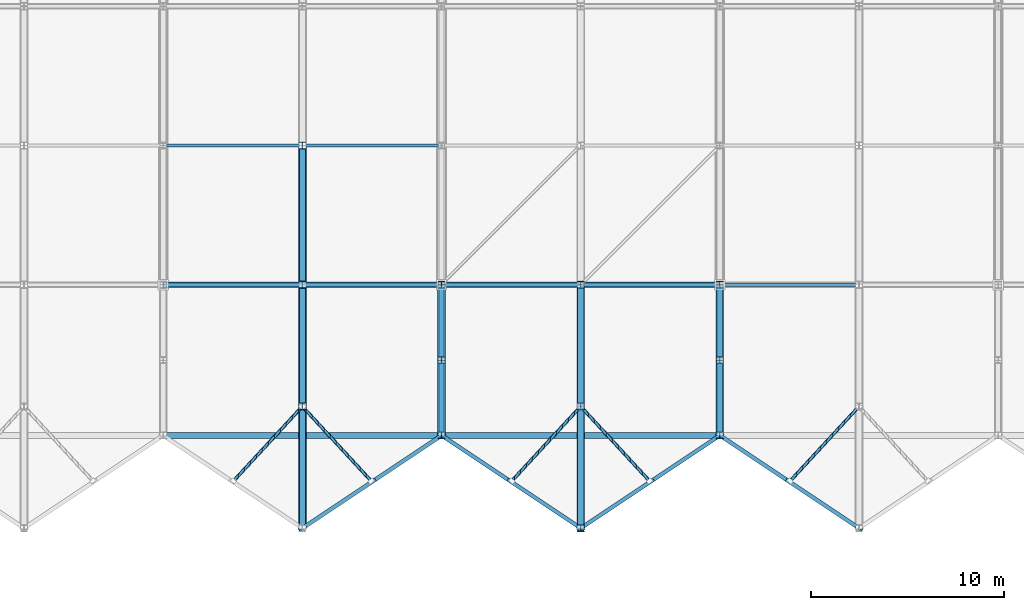
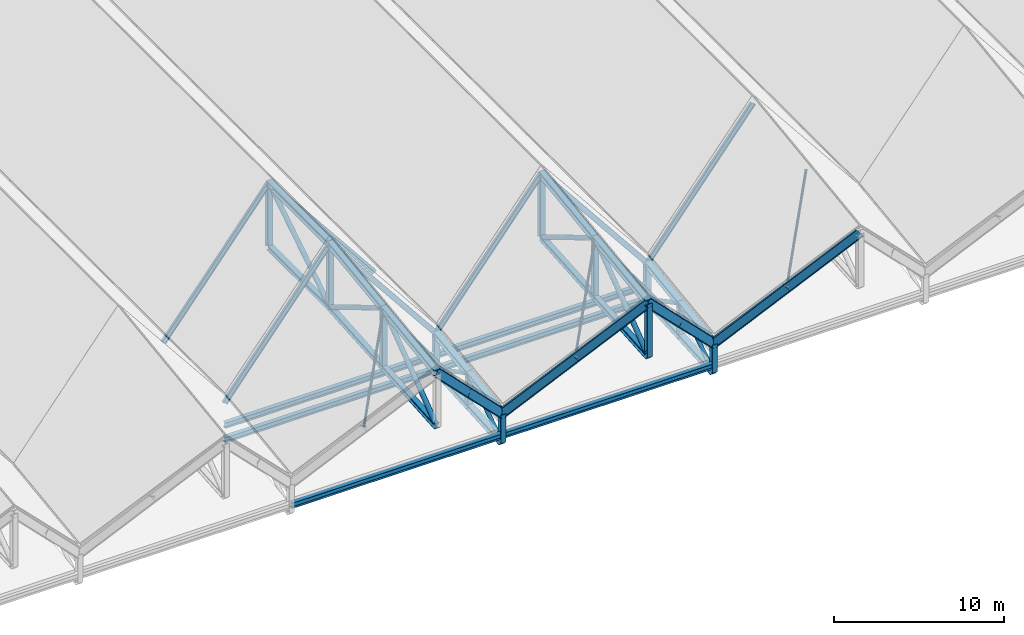
# One storey, part 5 of 60: 59 members, 6 beams.
"""IFC4 building model written with IfcOpenShell, lengths in metres."""

from ifc_helpers import new_model, si_unit, direction, frame, origin, origin_2d, place, context, subcontext, project, spatial, hollow_circle, i_section, extrude, material, material_profile, profile_set, type_object, element, save


model = new_model("IFC4")

# Units and contexts
model_context = context("Model", 3, precision=1e-05, world=origin(), true_north=direction((0.0, 1.0)))
body_context = subcontext(model_context, "Body", "Model", "MODEL_VIEW")
ifc_project = project(units=[si_unit("LENGTHUNIT", "METRE"), si_unit("AREAUNIT", "SQUARE_METRE"), si_unit("VOLUMEUNIT", "CUBIC_METRE"), si_unit("PLANEANGLEUNIT", "RADIAN"), si_unit("MASSUNIT", "GRAM", prefix="KILO")], contexts=[model_context])

# Site, building, storey
site_placement = place(None, origin())
site = spatial("IfcSite", under=ifc_project, at=site_placement, CompositionType="ELEMENT")
building_placement = place(site_placement, origin())
building = spatial("IfcBuilding", under=site, at=building_placement, Name="Vesperath Aquatics Centre", CompositionType="ELEMENT")
storey_placement = place(building_placement, frame((0.0, 0.0, 27.60009765625)))
storey = spatial("IfcBuildingStorey", under=building, at=storey_placement, Name="RF", CompositionType="ELEMENT", Elevation=27.60009765625)

# Beams
ifc_material_1 = material(Name="Steel Q355C", Category="steel")
ifc_material_profile_1 = material_profile(ifc_material_1, i_section(OverallWidth=0.300048828125, OverallDepth=0.389892578125, WebThickness=0.010009765625, FlangeThickness=0.01611328125, FilletRadius=0.02197265625, at=origin_2d()), Name="HM 390x300x10x16")
ifc_profile_set_1 = profile_set([ifc_material_profile_1], Name="Steel Q355C")
beam_type_1 = type_object("IfcBeamType", Name="BM-RB02", PredefinedType="BEAM", material=ifc_profile_set_1)
for number, where, z_axis, x_axis, name in (
    (1, (28.800048828125, 6.60009765625, -12.400146484375), (1.0, 0.0, 0.0), (0.0, 1.0, 0.0), "Natatorium Roof Deck Support Beam B11 G3-6.6"),
    (2, (28.800048828125, 14.39990234375, -12.400146484375), (1.0, 0.0, 0.0), (0.0, 1.0, 0.0), "Natatorium Roof Deck Support Beam B11 G3-14.4"),
):
    element("IfcBeam", number, at=place(storey_placement, frame(where, z_axis=z_axis, x_axis=x_axis)), inside=storey, type_object=beam_type_1, Name=name, PredefinedType="BEAM", context=body_context, shape_type="SweptSolid", body=[
        extrude(i_section(OverallWidth=0.300048828125, OverallDepth=0.389892578125, WebThickness=0.010009765625, FlangeThickness=0.01611328125, FilletRadius=0.02197265625, at=origin_2d()), origin(), (0.0, 0.0, 1.0), 14.39990234375),
    ])
for number, where, z_axis, x_axis, name in (
    (3, (43.199951171875, 6.60009765625, -12.400146484375), (1.0, 0.0, 0.0), (0.0, 1.0, 0.0), "Natatorium Roof Deck Support Beam B11 G4-6.6"),
    (4, (43.199951171875, 14.39990234375, -12.400146484375), (1.0, 0.0, 0.0), (0.0, 1.0, 0.0), "Natatorium Roof Deck Support Beam B11 G4-14.4"),
):
    element("IfcBeam", number, at=place(storey_placement, frame(where, z_axis=z_axis, x_axis=x_axis)), inside=storey, type_object=beam_type_1, Name=name, PredefinedType="BEAM", context=body_context, shape_type="SweptSolid", body=[
        extrude(i_section(OverallWidth=0.300048828125, OverallDepth=0.389892578125, WebThickness=0.010009765625, FlangeThickness=0.01611328125, FilletRadius=0.02197265625, at=origin_2d()), origin(), (0.0, 0.0, 1.0), 14.400146484375),
    ])
ifc_material_profile_2 = material_profile(ifc_material_1, i_section(OverallWidth=0.300048828125, OverallDepth=0.389892578125, WebThickness=0.010009765625, FlangeThickness=0.01611328125, FilletRadius=0.02197265625, at=origin_2d()), Name="HM 390x300x10x16")
ifc_profile_set_2 = profile_set([ifc_material_profile_2], Name="Steel Q355C")
beam_type_2 = type_object("IfcBeamType", Name="BM-RB06", PredefinedType="BEAM", material=ifc_profile_set_2)
beam_1_placement = place(storey_placement, frame((28.800048828125, 14.39990234375, -11.359375), z_axis=(1.0, 0.0, 0.0), x_axis=(0.0, 1.0, 0.0)))
element("IfcBeam", 5, at=beam_1_placement, inside=storey, type_object=beam_type_2, Name="Natatorium Roof Deck Support Beam B11 G3-14.4", PredefinedType="BEAM", context=body_context, shape_type="SweptSolid", body=[
    extrude(i_section(OverallWidth=0.300048828125, OverallDepth=0.389892578125, WebThickness=0.010009765625, FlangeThickness=0.01611328125, FilletRadius=0.02197265625, at=origin_2d()), origin(), (0.0, 0.0, 1.0), 14.39990234375),
])
beam_2_placement = place(storey_placement, frame((43.199951171875, 14.39990234375, -11.359375), z_axis=(1.0, 0.0, 0.0), x_axis=(0.0, 1.0, 0.0)))
element("IfcBeam", 6, at=beam_2_placement, inside=storey, type_object=beam_type_2, Name="Natatorium Roof Deck Support Beam B11 G4-14.4", PredefinedType="BEAM", context=body_context, shape_type="SweptSolid", body=[
    extrude(i_section(OverallWidth=0.300048828125, OverallDepth=0.389892578125, WebThickness=0.010009765625, FlangeThickness=0.01611328125, FilletRadius=0.02197265625, at=origin_2d()), origin(), (0.0, 0.0, 1.0), 14.400146484375),
])

# Members
ifc_material_2 = material(Name="Steel Q355D", Category="steel")
ifc_material_profile_3 = material_profile(ifc_material_2, i_section(OverallWidth=0.199951171875, OverallDepth=0.60009765625, WebThickness=0.010986328125, FlangeThickness=0.01708984375, FilletRadius=0.02197265625, at=origin_2d()), Name="HN 600x200x11x17")
ifc_profile_set_3 = profile_set([ifc_material_profile_3], Name="Steel Q355D")
member_type_1 = type_object("IfcMemberType", Name="MB-AR01", PredefinedType="RAFTER", material=ifc_profile_set_3)
for number, where, z_axis, x_axis, name in (
    (7, (43.199951171875, 6.60009765625, -10.8408203125), (-0.598386346033, -0.398964813011, 0.694809944417), (0.554739260842, -0.832024249935, 0.0), "Natatorium Cutback Hood Verge Rafter AR01 B6A"),
    (8, (39.60009765625, 4.199951171875, -6.660888671875), (-0.598438958022, -0.398932249922, 0.694783328451), (0.554674152876, -0.832067655982, 0.0), "Natatorium Cutback Hood Verge Rafter AR01 B6B"),
):
    element("IfcMember", number, at=place(storey_placement, frame(where, z_axis=z_axis, x_axis=x_axis)), inside=storey, type_object=member_type_1, Name=name, PredefinedType="RAFTER", context=body_context, shape_type="SweptSolid", body=[
        extrude(i_section(OverallWidth=0.199951171875, OverallDepth=0.60009765625, WebThickness=0.010986328125, FlangeThickness=0.01708984375, FilletRadius=0.02197265625, at=origin_2d()), origin(), (0.0, 0.0, 1.0), 6.015869140625),
    ])
member_1_placement = place(storey_placement, frame((43.199951171875, 6.60009765625, -10.8408203125), z_axis=(0.598412396248, -0.398955124611, 0.694793071759), x_axis=(0.554713217289, 0.832041613482, 0.0)))
element("IfcMember", 9, at=member_1_placement, inside=storey, type_object=member_type_1, Name="Natatorium Cutback Hood Verge Rafter AR01 B7A", PredefinedType="RAFTER", context=body_context, shape_type="SweptSolid", body=[
    extrude(i_section(OverallWidth=0.199951171875, OverallDepth=0.60009765625, WebThickness=0.010986328125, FlangeThickness=0.01708984375, FilletRadius=0.02197265625, at=origin_2d()), origin(), (0.0, 0.0, 1.0), 6.01611328125),
])
member_2_placement = place(storey_placement, frame((46.800048828125, 4.199951171875, -6.660888671875), z_axis=(0.598412907941, -0.398941938627, 0.69480020237), x_axis=(0.554700196225, 0.832050294338, 0.0)))
element("IfcMember", 10, at=member_2_placement, inside=storey, type_object=member_type_1, Name="Natatorium Cutback Hood Verge Rafter AR01 B7B", PredefinedType="RAFTER", context=body_context, shape_type="SweptSolid", body=[
    extrude(i_section(OverallWidth=0.199951171875, OverallDepth=0.60009765625, WebThickness=0.010986328125, FlangeThickness=0.01708984375, FilletRadius=0.02197265625, at=origin_2d()), origin(), (0.0, 0.0, 1.0), 6.015625),
])
member_3_placement = place(storey_placement, frame((57.60009765625, 6.60009765625, -10.8408203125), z_axis=(-0.598412396248, -0.398955124611, 0.694793071759), x_axis=(0.554713217289, -0.832041613482, 0.0)))
element("IfcMember", 11, at=member_3_placement, inside=storey, type_object=member_type_1, Name="Natatorium Cutback Hood Verge Rafter AR01 B8A", PredefinedType="RAFTER", context=body_context, shape_type="SweptSolid", body=[
    extrude(i_section(OverallWidth=0.199951171875, OverallDepth=0.60009765625, WebThickness=0.010986328125, FlangeThickness=0.01708984375, FilletRadius=0.02197265625, at=origin_2d()), origin(), (0.0, 0.0, 1.0), 6.01611328125),
])
for number, where, z_axis, x_axis, name in (
    (12, (54.0, 4.199951171875, -6.660888671875), (-0.598438958022, -0.398932249922, 0.694783328451), (0.554674152876, -0.832067655982, 0.0), "Natatorium Cutback Hood Verge Rafter AR01 B8B"),
    (13, (57.60009765625, 6.60009765625, -10.8408203125), (0.598386346033, -0.398964813011, 0.694809944417), (0.554739260842, 0.832024249935, 0.0), "Natatorium Cutback Hood Verge Rafter AR01 B9A"),
    (14, (61.199951171875, 4.199951171875, -6.660888671875), (0.598438958022, -0.398932249922, 0.694783328451), (0.554674152876, 0.832067655982, 0.0), "Natatorium Cutback Hood Verge Rafter AR01 B9B"),
):
    element("IfcMember", number, at=place(storey_placement, frame(where, z_axis=z_axis, x_axis=x_axis)), inside=storey, type_object=member_type_1, Name=name, PredefinedType="RAFTER", context=body_context, shape_type="SweptSolid", body=[
        extrude(i_section(OverallWidth=0.199951171875, OverallDepth=0.60009765625, WebThickness=0.010986328125, FlangeThickness=0.01708984375, FilletRadius=0.02197265625, at=origin_2d()), origin(), (0.0, 0.0, 1.0), 6.015869140625),
    ])
ifc_material_profile_4 = material_profile(ifc_material_2, i_section(OverallWidth=0.39990234375, OverallDepth=0.39990234375, WebThickness=0.012939453125, FlangeThickness=0.02099609375, FilletRadius=0.02197265625, at=origin_2d()), Name="HW 400x400x13x21")
ifc_profile_set_4 = profile_set([ifc_material_profile_4], Name="Steel Q355D")
member_type_2 = type_object("IfcMemberType", Name="MB-BC01", PredefinedType="CHORD", material=ifc_profile_set_4)
for number, where, z_axis, x_axis, name in (
    (15, (43.199951171875, 6.60009765625, -12.868408203125), (0.0, 0.998202752751, 0.059927159127), (-1.0, 0.0, 0.0), "Natatorium ROOF TRUSS Bottom Chord BC01 G7-1"),
    (16, (43.199951171875, 10.5, -12.63427734375), (0.0, 0.998202752751, 0.059927159127), (-1.0, 0.0, 0.0), "Natatorium ROOF TRUSS Bottom Chord BC01 G7-2"),
    (17, (57.60009765625, 6.60009765625, -12.868408203125), (0.0, 0.998202752751, 0.059927159127), (-1.0, 0.0, 0.0), "Natatorium ROOF TRUSS Bottom Chord BC01 G9-1"),
    (18, (57.60009765625, 10.5, -12.63427734375), (0.0, 0.998202752751, 0.059927159127), (-1.0, 0.0, 0.0), "Natatorium ROOF TRUSS Bottom Chord BC01 G9-2"),
):
    element("IfcMember", number, at=place(storey_placement, frame(where, z_axis=z_axis, x_axis=x_axis)), inside=storey, type_object=member_type_2, Name=name, PredefinedType="CHORD", context=body_context, shape_type="SweptSolid", body=[
        extrude(i_section(OverallWidth=0.39990234375, OverallDepth=0.39990234375, WebThickness=0.012939453125, FlangeThickness=0.02099609375, FilletRadius=0.02197265625, at=origin_2d()), origin(), (0.0, 0.0, 1.0), 3.906982421875),
    ])
ifc_material_profile_5 = material_profile(ifc_material_2, i_section(OverallWidth=0.35009765625, OverallDepth=0.35009765625, WebThickness=0.011962890625, FlangeThickness=0.01904296875, FilletRadius=0.02001953125, at=origin_2d()), Name="HW 350x350x12x19")
ifc_profile_set_5 = profile_set([ifc_material_profile_5], Name="Steel Q355D")
member_type_3 = type_object("IfcMemberType", Name="MB-BC02", PredefinedType="CHORD", material=ifc_profile_set_5)
member_4_placement = place(storey_placement, frame((36.0, 1.800048828125, -6.32470703125), z_axis=(0.0, 0.997317301509, 0.073199727536), x_axis=(-1.0, 0.0, 0.0)))
element("IfcMember", 19, at=member_4_placement, inside=storey, type_object=member_type_3, Name="Natatorium ROOF TRUSS Bottom Chord BC02 G6-1", PredefinedType="CHORD", context=body_context, shape_type="SweptSolid", body=[
    extrude(i_section(OverallWidth=0.35009765625, OverallDepth=0.35009765625, WebThickness=0.011962890625, FlangeThickness=0.01904296875, FilletRadius=0.02001953125, at=origin_2d()), origin(), (0.0, 0.0, 1.0), 6.31689453125),
])
member_5_placement = place(storey_placement, frame((36.0, 8.10009765625, -5.8623046875), z_axis=(0.0, 0.997319915346, 0.07316410633), x_axis=(-1.0, 0.0, 0.0)))
element("IfcMember", 20, at=member_5_placement, inside=storey, type_object=member_type_3, Name="Natatorium ROOF TRUSS Bottom Chord BC02 G6-2", PredefinedType="CHORD", context=body_context, shape_type="SweptSolid", body=[
    extrude(i_section(OverallWidth=0.35009765625, OverallDepth=0.35009765625, WebThickness=0.011962890625, FlangeThickness=0.01904296875, FilletRadius=0.02001953125, at=origin_2d()), origin(), (0.0, 0.0, 1.0), 6.316650390625),
])
member_6_placement = place(storey_placement, frame((36.0, 14.39990234375, -5.400146484375), z_axis=(0.0, 1.0, 0.0), x_axis=(-1.0, 0.0, 0.0)))
element("IfcMember", 21, at=member_6_placement, inside=storey, type_object=member_type_3, Name="Natatorium ROOF TRUSS Bottom Chord BC02 G6-3", PredefinedType="CHORD", context=body_context, shape_type="SweptSolid", body=[
    extrude(i_section(OverallWidth=0.35009765625, OverallDepth=0.35009765625, WebThickness=0.011962890625, FlangeThickness=0.01904296875, FilletRadius=0.02001953125, at=origin_2d()), origin(), (0.0, 0.0, 1.0), 7.2001953125),
])
member_7_placement = place(storey_placement, frame((50.39990234375, 1.800048828125, -6.32470703125), z_axis=(0.0, 0.997317301509, 0.073199727536), x_axis=(-1.0, 0.0, 0.0)))
element("IfcMember", 22, at=member_7_placement, inside=storey, type_object=member_type_3, Name="Natatorium ROOF TRUSS Bottom Chord BC02 G8-1", PredefinedType="CHORD", context=body_context, shape_type="SweptSolid", body=[
    extrude(i_section(OverallWidth=0.35009765625, OverallDepth=0.35009765625, WebThickness=0.011962890625, FlangeThickness=0.01904296875, FilletRadius=0.02001953125, at=origin_2d()), origin(), (0.0, 0.0, 1.0), 6.31689453125),
])
member_8_placement = place(storey_placement, frame((50.39990234375, 8.10009765625, -5.8623046875), z_axis=(0.0, 0.997319915346, 0.07316410633), x_axis=(-1.0, 0.0, 0.0)))
element("IfcMember", 23, at=member_8_placement, inside=storey, type_object=member_type_3, Name="Natatorium ROOF TRUSS Bottom Chord BC02 G8-2", PredefinedType="CHORD", context=body_context, shape_type="SweptSolid", body=[
    extrude(i_section(OverallWidth=0.35009765625, OverallDepth=0.35009765625, WebThickness=0.011962890625, FlangeThickness=0.01904296875, FilletRadius=0.02001953125, at=origin_2d()), origin(), (0.0, 0.0, 1.0), 6.316650390625),
])
ifc_material_profile_6 = material_profile(ifc_material_2, hollow_circle(Radius=0.084228515625, WallThickness=0.008056640625, at=origin_2d()), Name="CHS 168.3x8")
ifc_profile_set_6 = profile_set([ifc_material_profile_6], Name="Steel Q355D")
member_type_4 = type_object("IfcMemberType", Name="MB-BR01", PredefinedType="BRACE", material=ifc_profile_set_6)
for number, where, z_axis, x_axis, name in (
    (24, (32.439453125, 4.24267578125, -6.60595703125), (0.49276760829, 0.533834422765, 0.687168751684), (-0.734805247598, 0.67827814951, 0.0), "Natatorium Cutback Hood Tie Brace BR01 B5"),
    (25, (39.560546875, 4.24267578125, -6.60595703125), (-0.49276760829, 0.533834422765, 0.687168751684), (-0.734805247598, -0.67827814951, 0.0), "Natatorium Cutback Hood Tie Brace BR01 B6"),
    (26, (46.83935546875, 4.24267578125, -6.60595703125), (0.49276760829, 0.533834422765, 0.687168751684), (-0.734805247598, 0.67827814951, 0.0), "Natatorium Cutback Hood Tie Brace BR01 B7"),
    (27, (53.960693359375, 4.24267578125, -6.60595703125), (-0.49276760829, 0.533834422765, 0.687168751684), (-0.734805247598, -0.67827814951, 0.0), "Natatorium Cutback Hood Tie Brace BR01 B8"),
    (28, (61.239501953125, 4.24267578125, -6.60595703125), (0.492741738274, 0.533843410105, 0.687180320476), (-0.73482868654, 0.678252756306, 0.0), "Natatorium Cutback Hood Tie Brace BR01 B9"),
):
    element("IfcMember", number, at=place(storey_placement, frame(where, z_axis=z_axis, x_axis=x_axis)), inside=storey, type_object=member_type_4, Name=name, PredefinedType="BRACE", context=body_context, shape_type="SweptSolid", body=[
        extrude(hollow_circle(Radius=0.084228515625, WallThickness=0.008056640625, at=origin_2d()), origin(), (0.0, 0.0, 1.0), 7.145751953125),
    ])
ifc_material_profile_7 = material_profile(ifc_material_1, i_section(OverallWidth=0.175048828125, OverallDepth=0.35009765625, WebThickness=0.007080078125, FlangeThickness=0.010986328125, FilletRadius=0.012939453125, at=origin_2d()), Name="HN 350x175x7x11")
ifc_profile_set_7 = profile_set([ifc_material_profile_7], Name="Steel Q355C")
member_type_5 = type_object("IfcMemberType", Name="MB-PR01", PredefinedType="PURLIN", material=ifc_profile_set_7)
for number, where, z_axis, x_axis, name in (
    (29, (28.800048828125, 14.39990234375, -9.800048828125), (0.624692464322, 0.0, 0.780870876022), (0.0, 1.0, 0.0), "Natatorium Roof Purlin PR01 B5-1"),
    (30, (28.800048828125, 21.60009765625, -9.800048828125), (0.624692464322, 0.0, 0.780870876022), (0.0, 1.0, 0.0), "Natatorium Roof Purlin PR01 B5-2"),
    (31, (36.0, 14.39990234375, -0.800048828125), (0.624692464322, 0.0, -0.780870876022), (0.0, 1.0, 0.0), "Natatorium Roof Purlin PR01 B6-1"),
    (32, (36.0, 21.60009765625, -0.800048828125), (0.624692464322, 0.0, -0.780870876022), (0.0, 1.0, 0.0), "Natatorium Roof Purlin PR01 B6-2"),
    (33, (43.199951171875, 14.39990234375, -9.800048828125), (0.624692464322, 0.0, 0.780870876022), (0.0, 1.0, 0.0), "Natatorium Roof Purlin PR01 B7-1"),
    (34, (50.39990234375, 14.39990234375, -0.800048828125), (0.624705380279, 0.0, -0.780860543151), (0.0, 1.0, 0.0), "Natatorium Roof Purlin PR01 B8-1"),
    (35, (57.60009765625, 14.39990234375, -9.800048828125), (0.624692464322, 0.0, 0.780870876022), (0.0, 1.0, 0.0), "Natatorium Roof Purlin PR01 B9-1"),
):
    element("IfcMember", number, at=place(storey_placement, frame(where, z_axis=z_axis, x_axis=x_axis)), inside=storey, type_object=member_type_5, Name=name, PredefinedType="PURLIN", context=body_context, shape_type="SweptSolid", body=[
        extrude(i_section(OverallWidth=0.175048828125, OverallDepth=0.35009765625, WebThickness=0.007080078125, FlangeThickness=0.010986328125, FilletRadius=0.012939453125, at=origin_2d()), origin(), (0.0, 0.0, 1.0), 11.525634765625),
    ])
ifc_material_profile_8 = material_profile(ifc_material_2, i_section(OverallWidth=0.406982421875, OverallDepth=0.427978515625, WebThickness=0.02001953125, FlangeThickness=0.034912109375, FilletRadius=0.02197265625, at=origin_2d()), Name="HW 428x407x20x35")
ifc_profile_set_8 = profile_set([ifc_material_profile_8], Name="Steel Q355D")
member_type_6 = type_object("IfcMemberType", Name="MB-TC01", PredefinedType="CHORD", material=ifc_profile_set_8)
member_9_placement = place(storey_placement, frame((36.0, 1.800048828125, -2.481201171875), z_axis=(0.0, 0.991216155177, 0.132251781526), x_axis=(-1.0, 0.0, 0.0)))
element("IfcMember", 36, at=member_9_placement, inside=storey, type_object=member_type_6, Name="Natatorium ROOF TRUSS Top Chord TC01 G6-1", PredefinedType="CHORD", context=body_context, shape_type="SweptSolid", body=[
    extrude(i_section(OverallWidth=0.406982421875, OverallDepth=0.427978515625, WebThickness=0.02001953125, FlangeThickness=0.034912109375, FilletRadius=0.02197265625, at=origin_2d()), origin(), (0.0, 0.0, 1.0), 6.35595703125),
])
member_10_placement = place(storey_placement, frame((36.0, 8.10009765625, -1.640625), z_axis=(0.0, 0.991215483296, 0.132256817121), x_axis=(-1.0, 0.0, 0.0)))
element("IfcMember", 37, at=member_10_placement, inside=storey, type_object=member_type_6, Name="Natatorium ROOF TRUSS Top Chord TC01 G6-2", PredefinedType="CHORD", context=body_context, shape_type="SweptSolid", body=[
    extrude(i_section(OverallWidth=0.406982421875, OverallDepth=0.427978515625, WebThickness=0.02001953125, FlangeThickness=0.034912109375, FilletRadius=0.02197265625, at=origin_2d()), origin(), (0.0, 0.0, 1.0), 6.355712890625),
])
member_11_placement = place(storey_placement, frame((36.0, 14.39990234375, -0.800048828125), z_axis=(0.0, 1.0, 0.0), x_axis=(-1.0, 0.0, 0.0)))
element("IfcMember", 38, at=member_11_placement, inside=storey, type_object=member_type_6, Name="Natatorium ROOF TRUSS Top Chord TC01 G6-3", PredefinedType="CHORD", context=body_context, shape_type="SweptSolid", body=[
    extrude(i_section(OverallWidth=0.406982421875, OverallDepth=0.427978515625, WebThickness=0.02001953125, FlangeThickness=0.034912109375, FilletRadius=0.02197265625, at=origin_2d()), origin(), (0.0, 0.0, 1.0), 7.2001953125),
])
member_12_placement = place(storey_placement, frame((50.39990234375, 1.800048828125, -2.481201171875), z_axis=(0.0, 0.991216155177, 0.132251781526), x_axis=(-1.0, 0.0, 0.0)))
element("IfcMember", 39, at=member_12_placement, inside=storey, type_object=member_type_6, Name="Natatorium ROOF TRUSS Top Chord TC01 G8-1", PredefinedType="CHORD", context=body_context, shape_type="SweptSolid", body=[
    extrude(i_section(OverallWidth=0.406982421875, OverallDepth=0.427978515625, WebThickness=0.02001953125, FlangeThickness=0.034912109375, FilletRadius=0.02197265625, at=origin_2d()), origin(), (0.0, 0.0, 1.0), 6.35595703125),
])
member_13_placement = place(storey_placement, frame((50.39990234375, 8.10009765625, -1.640625), z_axis=(0.0, 0.991215483296, 0.132256817121), x_axis=(-1.0, 0.0, 0.0)))
element("IfcMember", 40, at=member_13_placement, inside=storey, type_object=member_type_6, Name="Natatorium ROOF TRUSS Top Chord TC01 G8-2", PredefinedType="CHORD", context=body_context, shape_type="SweptSolid", body=[
    extrude(i_section(OverallWidth=0.406982421875, OverallDepth=0.427978515625, WebThickness=0.02001953125, FlangeThickness=0.034912109375, FilletRadius=0.02197265625, at=origin_2d()), origin(), (0.0, 0.0, 1.0), 6.355712890625),
])
ifc_material_profile_9 = material_profile(ifc_material_2, i_section(OverallWidth=0.39990234375, OverallDepth=0.39990234375, WebThickness=0.012939453125, FlangeThickness=0.02099609375, FilletRadius=0.02197265625, at=origin_2d()), Name="HW 400x400x13x21")
ifc_profile_set_9 = profile_set([ifc_material_profile_9], Name="Steel Q355D")
member_type_7 = type_object("IfcMemberType", Name="MB-TC02", PredefinedType="CHORD", material=ifc_profile_set_9)
for number, where, z_axis, x_axis, name in (
    (41, (43.199951171875, 6.60009765625, -10.8408203125), (0.0, 0.991218685313, 0.132232816978), (-1.0, 0.0, 0.0), "Natatorium ROOF TRUSS Top Chord TC02 G7-1"),
    (42, (43.199951171875, 10.5, -10.320556640625), (0.0, 0.991210550247, 0.132293783218), (-1.0, 0.0, 0.0), "Natatorium ROOF TRUSS Top Chord TC02 G7-2"),
    (43, (57.60009765625, 6.60009765625, -10.8408203125), (0.0, 0.991218685313, 0.132232816978), (-1.0, 0.0, 0.0), "Natatorium ROOF TRUSS Top Chord TC02 G9-1"),
    (44, (57.60009765625, 10.5, -10.320556640625), (0.0, 0.991210550247, 0.132293783218), (-1.0, 0.0, 0.0), "Natatorium ROOF TRUSS Top Chord TC02 G9-2"),
):
    element("IfcMember", number, at=place(storey_placement, frame(where, z_axis=z_axis, x_axis=x_axis)), inside=storey, type_object=member_type_7, Name=name, PredefinedType="CHORD", context=body_context, shape_type="SweptSolid", body=[
        extrude(i_section(OverallWidth=0.39990234375, OverallDepth=0.39990234375, WebThickness=0.012939453125, FlangeThickness=0.02099609375, FilletRadius=0.02197265625, at=origin_2d()), origin(), (0.0, 0.0, 1.0), 3.9345703125),
    ])
ifc_material_profile_10 = material_profile(ifc_material_2, hollow_circle(Radius=0.161865234375, WallThickness=0.013916015625, at=origin_2d()), Name="CHS 323.9x14")
ifc_profile_set_10 = profile_set([ifc_material_profile_10], Name="Steel Q355D")
member_type_8 = type_object("IfcMemberType", Name="MB-TD01", PredefinedType="BRACE", material=ifc_profile_set_10)
member_14_placement = place(storey_placement, frame((36.0, 1.8642578125, -6.277099609375), z_axis=(0.0, 0.802495859329, 0.596657687254), x_axis=(-1.0, 0.0, 0.0)))
element("IfcMember", 45, at=member_14_placement, inside=storey, type_object=member_type_8, Name="Natatorium ROOF TRUSS Diagonal TD01 G6-1", PredefinedType="BRACE", context=body_context, shape_type="SweptSolid", body=[
    extrude(hollow_circle(Radius=0.161865234375, WallThickness=0.013916015625, at=origin_2d()), origin(), (0.0, 0.0, 1.0), 7.6904296875),
])
member_15_placement = place(storey_placement, frame((36.0, 8.168701171875, -1.681640625), z_axis=(0.0, 0.858724173278, -0.51243808819), x_axis=(-1.0, 0.0, 0.0)))
element("IfcMember", 46, at=member_15_placement, inside=storey, type_object=member_type_8, Name="Natatorium ROOF TRUSS Diagonal TD01 G6-2", PredefinedType="BRACE", context=body_context, shape_type="SweptSolid", body=[
    extrude(hollow_circle(Radius=0.161865234375, WallThickness=0.013916015625, at=origin_2d()), origin(), (0.0, 0.0, 1.0), 7.176513671875),
])
member_16_placement = place(storey_placement, frame((36.0, 14.467529296875, -5.35693359375), z_axis=(0.0, 0.842698461818, 0.538385830468), x_axis=(-1.0, 0.0, 0.0)))
element("IfcMember", 47, at=member_16_placement, inside=storey, type_object=member_type_8, Name="Natatorium ROOF TRUSS Diagonal TD01 G6-3", PredefinedType="BRACE", context=body_context, shape_type="SweptSolid", body=[
    extrude(hollow_circle(Radius=0.161865234375, WallThickness=0.013916015625, at=origin_2d()), origin(), (0.0, 0.0, 1.0), 8.3837890625),
])
member_17_placement = place(storey_placement, frame((50.39990234375, 1.8642578125, -6.277099609375), z_axis=(0.0, 0.802495859329, 0.596657687254), x_axis=(-1.0, 0.0, 0.0)))
element("IfcMember", 48, at=member_17_placement, inside=storey, type_object=member_type_8, Name="Natatorium ROOF TRUSS Diagonal TD01 G8-1", PredefinedType="BRACE", context=body_context, shape_type="SweptSolid", body=[
    extrude(hollow_circle(Radius=0.161865234375, WallThickness=0.013916015625, at=origin_2d()), origin(), (0.0, 0.0, 1.0), 7.6904296875),
])
member_18_placement = place(storey_placement, frame((50.39990234375, 8.168701171875, -1.681640625), z_axis=(0.0, 0.858724173278, -0.51243808819), x_axis=(-1.0, 0.0, 0.0)))
element("IfcMember", 49, at=member_18_placement, inside=storey, type_object=member_type_8, Name="Natatorium ROOF TRUSS Diagonal TD01 G8-2", PredefinedType="BRACE", context=body_context, shape_type="SweptSolid", body=[
    extrude(hollow_circle(Radius=0.161865234375, WallThickness=0.013916015625, at=origin_2d()), origin(), (0.0, 0.0, 1.0), 7.176513671875),
])
ifc_material_profile_11 = material_profile(ifc_material_2, hollow_circle(Radius=0.136474609375, WallThickness=0.011962890625, at=origin_2d()), Name="CHS 273.0x12")
ifc_profile_set_11 = profile_set([ifc_material_profile_11], Name="Steel Q355D")
member_type_9 = type_object("IfcMemberType", Name="MB-TD02", PredefinedType="BRACE", material=ifc_profile_set_11)
member_19_placement = place(storey_placement, frame((43.199951171875, 6.6669921875, -12.82470703125), z_axis=(0.0, 0.837174151823, 0.546936412684), x_axis=(-1.0, 0.0, 0.0)))
element("IfcMember", 50, at=member_19_placement, inside=storey, type_object=member_type_9, Name="Natatorium ROOF TRUSS Diagonal TD02 G7-1", PredefinedType="BRACE", context=body_context, shape_type="SweptSolid", body=[
    extrude(hollow_circle(Radius=0.136474609375, WallThickness=0.011962890625, at=origin_2d()), origin(), (0.0, 0.0, 1.0), 4.49853515625),
])
member_20_placement = place(storey_placement, frame((43.199951171875, 10.570556640625, -10.358154296875), z_axis=(0.0, 0.882381496589, -0.470534689984), x_axis=(-1.0, 0.0, 0.0)))
element("IfcMember", 51, at=member_20_placement, inside=storey, type_object=member_type_9, Name="Natatorium ROOF TRUSS Diagonal TD02 G7-2", PredefinedType="BRACE", context=body_context, shape_type="SweptSolid", body=[
    extrude(hollow_circle(Radius=0.136474609375, WallThickness=0.011962890625, at=origin_2d()), origin(), (0.0, 0.0, 1.0), 4.259765625),
])
member_21_placement = place(storey_placement, frame((57.60009765625, 6.6669921875, -12.82470703125), z_axis=(0.0, 0.837174151823, 0.546936412684), x_axis=(-1.0, 0.0, 0.0)))
element("IfcMember", 52, at=member_21_placement, inside=storey, type_object=member_type_9, Name="Natatorium ROOF TRUSS Diagonal TD02 G9-1", PredefinedType="BRACE", context=body_context, shape_type="SweptSolid", body=[
    extrude(hollow_circle(Radius=0.136474609375, WallThickness=0.011962890625, at=origin_2d()), origin(), (0.0, 0.0, 1.0), 4.49853515625),
])
member_22_placement = place(storey_placement, frame((57.60009765625, 10.570556640625, -10.358154296875), z_axis=(0.0, 0.882381496589, -0.470534689984), x_axis=(-1.0, 0.0, 0.0)))
element("IfcMember", 53, at=member_22_placement, inside=storey, type_object=member_type_9, Name="Natatorium ROOF TRUSS Diagonal TD02 G9-2", PredefinedType="BRACE", context=body_context, shape_type="SweptSolid", body=[
    extrude(hollow_circle(Radius=0.136474609375, WallThickness=0.011962890625, at=origin_2d()), origin(), (0.0, 0.0, 1.0), 4.259765625),
])
ifc_material_profile_12 = material_profile(ifc_material_2, i_section(OverallWidth=0.35009765625, OverallDepth=0.35009765625, WebThickness=0.011962890625, FlangeThickness=0.01904296875, FilletRadius=0.02001953125, at=origin_2d()), Name="HW 350x350x12x19")
ifc_profile_set_12 = profile_set([ifc_material_profile_12], Name="Steel Q355D")
member_type_10 = type_object("IfcMemberType", Name="MB-TP01", PredefinedType="POST", material=ifc_profile_set_12)
member_23_placement = place(storey_placement, frame((36.0, 8.10009765625, -5.8623046875), z_axis=(0.0, 0.0, 1.0), x_axis=(1.0, 0.0, 0.0)))
element("IfcMember", 54, at=member_23_placement, inside=storey, type_object=member_type_10, Name="Natatorium ROOF TRUSS Post TP01 G6-2", PredefinedType="POST", context=body_context, shape_type="SweptSolid", body=[
    extrude(i_section(OverallWidth=0.35009765625, OverallDepth=0.35009765625, WebThickness=0.011962890625, FlangeThickness=0.01904296875, FilletRadius=0.02001953125, at=origin_2d()), origin(), (0.0, 0.0, 1.0), 4.2216796875),
])
for number, where, z_axis, x_axis, name in (
    (55, (36.0, 14.39990234375, -5.400146484375), (0.0, 0.0, 1.0), (1.0, 0.0, 0.0), "Natatorium ROOF TRUSS Post TP01 G6-3"),
    (56, (36.0, 21.60009765625, -5.400146484375), (0.0, 0.0, 1.0), (1.0, 0.0, 0.0), "Natatorium ROOF TRUSS Post TP01 G6-4"),
):
    element("IfcMember", number, at=place(storey_placement, frame(where, z_axis=z_axis, x_axis=x_axis)), inside=storey, type_object=member_type_10, Name=name, PredefinedType="POST", context=body_context, shape_type="SweptSolid", body=[
        extrude(i_section(OverallWidth=0.35009765625, OverallDepth=0.35009765625, WebThickness=0.011962890625, FlangeThickness=0.01904296875, FilletRadius=0.02001953125, at=origin_2d()), origin(), (0.0, 0.0, 1.0), 4.60009765625),
    ])
member_24_placement = place(storey_placement, frame((43.199951171875, 6.60009765625, -12.868408203125), z_axis=(0.0, 0.0, 1.0), x_axis=(1.0, 0.0, 0.0)))
element("IfcMember", 57, at=member_24_placement, inside=storey, type_object=member_type_10, Name="Natatorium ROOF TRUSS Post TP01 G7-1", PredefinedType="POST", context=body_context, shape_type="SweptSolid", body=[
    extrude(i_section(OverallWidth=0.35009765625, OverallDepth=0.35009765625, WebThickness=0.011962890625, FlangeThickness=0.01904296875, FilletRadius=0.02001953125, at=origin_2d()), origin(), (0.0, 0.0, 1.0), 2.027587890625),
])
member_25_placement = place(storey_placement, frame((43.199951171875, 10.5, -12.63427734375), z_axis=(0.0, 0.0, 1.0), x_axis=(1.0, 0.0, 0.0)))
element("IfcMember", 58, at=member_25_placement, inside=storey, type_object=member_type_10, Name="Natatorium ROOF TRUSS Post TP01 G7-2", PredefinedType="POST", context=body_context, shape_type="SweptSolid", body=[
    extrude(i_section(OverallWidth=0.35009765625, OverallDepth=0.35009765625, WebThickness=0.011962890625, FlangeThickness=0.01904296875, FilletRadius=0.02001953125, at=origin_2d()), origin(), (0.0, 0.0, 1.0), 2.313720703125),
])
member_26_placement = place(storey_placement, frame((43.199951171875, 14.39990234375, -12.400146484375), z_axis=(0.0, 0.0, 1.0), x_axis=(1.0, 0.0, 0.0)))
element("IfcMember", 59, at=member_26_placement, inside=storey, type_object=member_type_10, Name="Natatorium ROOF TRUSS Post TP01 G7-3", PredefinedType="POST", context=body_context, shape_type="SweptSolid", body=[
    extrude(i_section(OverallWidth=0.35009765625, OverallDepth=0.35009765625, WebThickness=0.011962890625, FlangeThickness=0.01904296875, FilletRadius=0.02001953125, at=origin_2d()), origin(), (0.0, 0.0, 1.0), 2.60009765625),
])
member_27_placement = place(storey_placement, frame((50.39990234375, 1.800048828125, -6.32470703125), z_axis=(0.0, 0.0, 1.0), x_axis=(1.0, 0.0, 0.0)))
element("IfcMember", 60, at=member_27_placement, inside=storey, type_object=member_type_10, Name="Natatorium ROOF TRUSS Post TP01 G8-1", PredefinedType="POST", context=body_context, shape_type="SweptSolid", body=[
    extrude(i_section(OverallWidth=0.35009765625, OverallDepth=0.35009765625, WebThickness=0.011962890625, FlangeThickness=0.01904296875, FilletRadius=0.02001953125, at=origin_2d()), origin(), (0.0, 0.0, 1.0), 3.843505859375),
])
member_28_placement = place(storey_placement, frame((50.39990234375, 8.10009765625, -5.8623046875), z_axis=(0.0, 0.0, 1.0), x_axis=(1.0, 0.0, 0.0)))
element("IfcMember", 61, at=member_28_placement, inside=storey, type_object=member_type_10, Name="Natatorium ROOF TRUSS Post TP01 G8-2", PredefinedType="POST", context=body_context, shape_type="SweptSolid", body=[
    extrude(i_section(OverallWidth=0.35009765625, OverallDepth=0.35009765625, WebThickness=0.011962890625, FlangeThickness=0.01904296875, FilletRadius=0.02001953125, at=origin_2d()), origin(), (0.0, 0.0, 1.0), 4.2216796875),
])
member_29_placement = place(storey_placement, frame((50.39990234375, 14.39990234375, -5.400146484375), z_axis=(0.0, 0.0, 1.0), x_axis=(1.0, 0.0, 0.0)))
element("IfcMember", 62, at=member_29_placement, inside=storey, type_object=member_type_10, Name="Natatorium ROOF TRUSS Post TP01 G8-3", PredefinedType="POST", context=body_context, shape_type="SweptSolid", body=[
    extrude(i_section(OverallWidth=0.35009765625, OverallDepth=0.35009765625, WebThickness=0.011962890625, FlangeThickness=0.01904296875, FilletRadius=0.02001953125, at=origin_2d()), origin(), (0.0, 0.0, 1.0), 4.60009765625),
])
member_30_placement = place(storey_placement, frame((57.60009765625, 6.60009765625, -12.868408203125), z_axis=(0.0, 0.0, 1.0), x_axis=(1.0, 0.0, 0.0)))
element("IfcMember", 63, at=member_30_placement, inside=storey, type_object=member_type_10, Name="Natatorium ROOF TRUSS Post TP01 G9-1", PredefinedType="POST", context=body_context, shape_type="SweptSolid", body=[
    extrude(i_section(OverallWidth=0.35009765625, OverallDepth=0.35009765625, WebThickness=0.011962890625, FlangeThickness=0.01904296875, FilletRadius=0.02001953125, at=origin_2d()), origin(), (0.0, 0.0, 1.0), 2.027587890625),
])
member_31_placement = place(storey_placement, frame((57.60009765625, 10.5, -12.63427734375), z_axis=(0.0, 0.0, 1.0), x_axis=(1.0, 0.0, 0.0)))
element("IfcMember", 64, at=member_31_placement, inside=storey, type_object=member_type_10, Name="Natatorium ROOF TRUSS Post TP01 G9-2", PredefinedType="POST", context=body_context, shape_type="SweptSolid", body=[
    extrude(i_section(OverallWidth=0.35009765625, OverallDepth=0.35009765625, WebThickness=0.011962890625, FlangeThickness=0.01904296875, FilletRadius=0.02001953125, at=origin_2d()), origin(), (0.0, 0.0, 1.0), 2.313720703125),
])
member_32_placement = place(storey_placement, frame((57.60009765625, 14.39990234375, -12.400146484375), z_axis=(0.0, 0.0, 1.0), x_axis=(1.0, 0.0, 0.0)))
element("IfcMember", 65, at=member_32_placement, inside=storey, type_object=member_type_10, Name="Natatorium ROOF TRUSS Post TP01 G9-3", PredefinedType="POST", context=body_context, shape_type="SweptSolid", body=[
    extrude(i_section(OverallWidth=0.35009765625, OverallDepth=0.35009765625, WebThickness=0.011962890625, FlangeThickness=0.01904296875, FilletRadius=0.02001953125, at=origin_2d()), origin(), (0.0, 0.0, 1.0), 2.60009765625),
])

save(model, "model.ifc")
